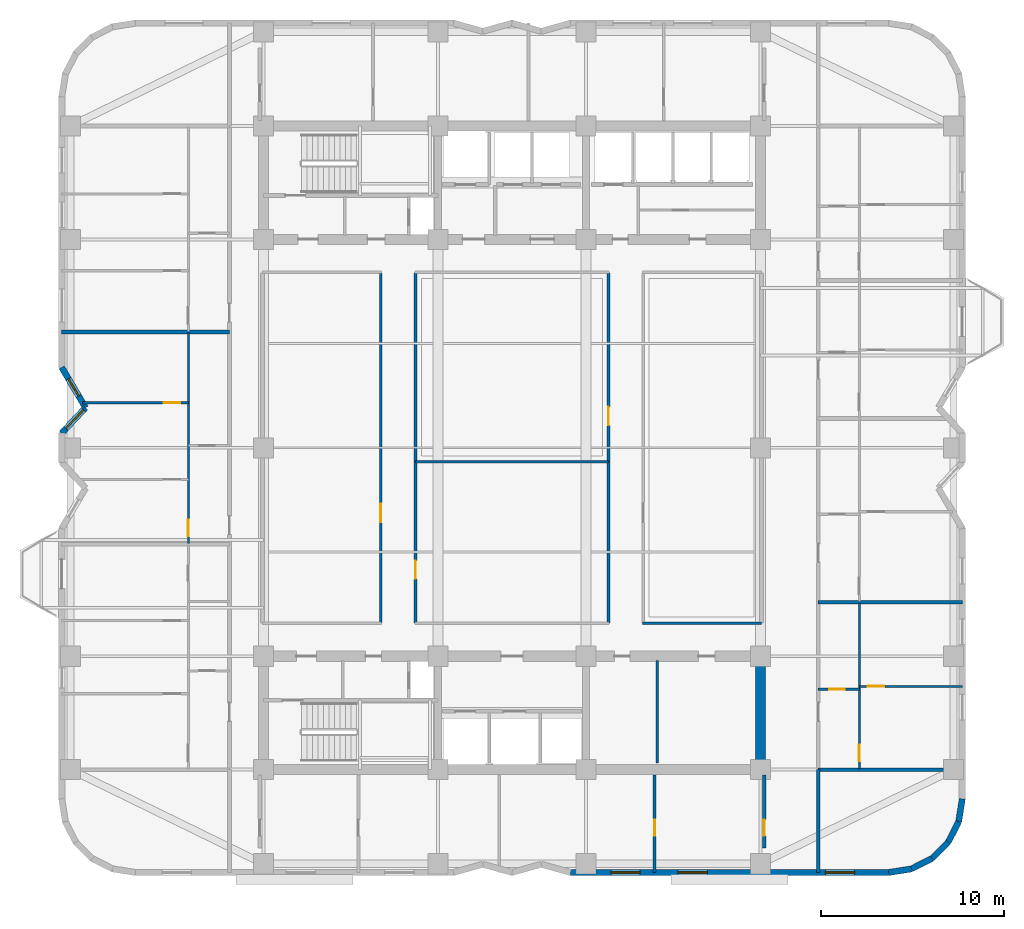
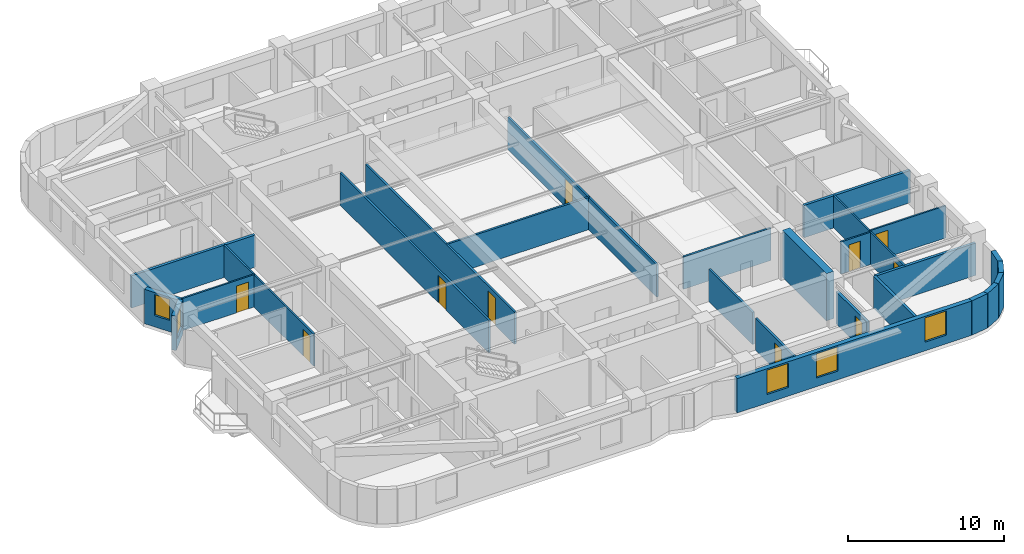
# One storey, part 4 of 11: 26 walls, 10 doors, 5 windows, 15 openings.
"""IFC4 building model written with IfcOpenShell, lengths in metres."""

from ifc_helpers import new_model, si_unit, direction, frame, frame_2d, origin, place, context, subcontext, project, spatial, rectangle, extrude, material, layer, layer_set, type_object, element, fill, save


model = new_model("IFC4")

# Units and contexts
model_context = context("Model", 3, precision=1e-05, world=origin(), true_north=direction((0.0, 1.0)))
body_context = subcontext(model_context, "Body", "Model", "MODEL_VIEW")
ifc_project = project(units=[si_unit("LENGTHUNIT", "METRE"), si_unit("AREAUNIT", "SQUARE_METRE"), si_unit("VOLUMEUNIT", "CUBIC_METRE"), si_unit("PLANEANGLEUNIT", "RADIAN"), si_unit("MASSUNIT", "GRAM", prefix="KILO")], contexts=[model_context])

# Site, building, storey
site_placement = place(None, origin())
site = spatial("IfcSite", under=ifc_project, at=site_placement, CompositionType="ELEMENT")
building_placement = place(site_placement, origin())
building = spatial("IfcBuilding", under=site, at=building_placement, Name="Svetorya Sky Lyceum", CompositionType="ELEMENT")
storey_placement = place(building_placement, frame((0.0, 0.0, 106.800048828125)))
storey = spatial("IfcBuildingStorey", under=building, at=storey_placement, Name="L26", CompositionType="ELEMENT", Elevation=106.800048828125)

# Wall
ifc_material_1 = material(Name="Concrete C60/75", Category="concrete")
ifc_layer_1 = layer(ifc_material_1, 0.550048828125)
ifc_layer_set_1 = layer_set([ifc_layer_1], Name="Concrete C60/75")
wall_type_1 = type_object("IfcWallType", Name="WL-CORE-550", PredefinedType="SHEAR", material=ifc_layer_set_1)
wall_1_placement = place(storey_placement, frame((52.800048828125, 10.875, 0.0), z_axis=(0.0, 0.0, 1.0), x_axis=(0.0, 1.0, 0.0)))
element("IfcWall", 1, at=wall_1_placement, inside=storey, type_object=wall_type_1, Name="L26 SC East Core Shear Wall", PredefinedType="SHEAR", context=body_context, shape_type="SweptSolid", body=[
    extrude(rectangle(XDim=5.64990234375, YDim=0.550048828125, at=frame_2d((2.824951171875, 0.0))), origin(), (0.0, 0.0, 1.0), 3.699951171875),
])

# Wall, openings, windows
ifc_material_2 = material(Name="Putilovo limestone rainscreen on autoclaved cellular masonry", Category="masonry")
ifc_layer_2 = layer(ifc_material_2, 0.340087890625)
ifc_layer_set_2 = layer_set([ifc_layer_2], Name="Putilovo limestone rainscreen on autoclaved cellular masonry")
wall_type_2 = type_object("IfcWallType", Name="WL-EXT-340", PredefinedType="SOLIDWALL", material=ifc_layer_set_2)
wall_2_placement = place(storey_placement, frame((42.39990234375, 4.969970703125, 0.0), z_axis=(0.0, 0.0, 1.0), x_axis=(1.0, 0.0, 0.0)))
wall_2 = element("IfcWall", 2, at=wall_2_placement, inside=storey, type_object=wall_type_2, Name="L26 Limestone Exterior Wall 11M", PredefinedType="SOLIDWALL", context=body_context, shape_type="SweptSolid", body=[
    extrude(rectangle(XDim=17.400146484375, YDim=0.340087890625, at=frame_2d((8.7001953125, 0.0))), origin(), (0.0, 0.0, 1.0), 2.699951171875),
])
opening_1_placement = place(wall_2_placement, frame((2.21240234375, 0.0, 0.679931640625)))
opening_1 = element("IfcOpeningElement", 3, at=opening_1_placement, cuts=wall_2, Name="Opening W-R4", PredefinedType="OPENING", context=body_context, shape_type="SweptSolid", body=[
    extrude(rectangle(XDim=1.60009765625, YDim=1.89990234375, at=frame_2d((0.800048828125, 0.949951171875))), frame((0.0, 0.179931640625, 0.0), z_axis=(0.0, -1.0, 0.0), x_axis=(1.0, 0.0, 0.0)), (0.0, 0.0, 1.0), 0.360107421875),
])
opening_2_placement = place(wall_2_placement, frame((5.887451171875, 0.0, 0.679931640625)))
opening_2 = element("IfcOpeningElement", 4, at=opening_2_placement, cuts=wall_2, Name="Opening W-R4", PredefinedType="OPENING", context=body_context, shape_type="SweptSolid", body=[
    extrude(rectangle(XDim=1.60009765625, YDim=1.89990234375, at=frame_2d((0.800048828125, 0.949951171875))), frame((0.0, 0.179931640625, 0.0), z_axis=(0.0, -1.0, 0.0), x_axis=(1.0, 0.0, 0.0)), (0.0, 0.0, 1.0), 0.360107421875),
])
opening_3_placement = place(wall_2_placement, frame((13.9375, 0.0, 0.679931640625)))
opening_3 = element("IfcOpeningElement", 5, at=opening_3_placement, cuts=wall_2, Name="Opening W-R4", PredefinedType="OPENING", context=body_context, shape_type="SweptSolid", body=[
    extrude(rectangle(XDim=1.60009765625, YDim=1.89990234375, at=frame_2d((0.800048828125, 0.949951171875))), frame((0.0, 0.179931640625, 0.0), z_axis=(0.0, -1.0, 0.0), x_axis=(1.0, 0.0, 0.0)), (0.0, 0.0, 1.0), 0.360107421875),
])
ifc_material_3 = material(Name="Thermally broken aluminium frame with triple low-E glazing", Category="aluminium")
window_type_1 = type_object("IfcWindowType", Name="WN-RES-160", PartitioningType="DOUBLE_PANEL_VERTICAL", PredefinedType="WINDOW", material=ifc_material_3)
window_1_placement = place(opening_1_placement, origin())
window_1 = element("IfcWindow", 6, at=window_1_placement, inside=storey, type_object=window_type_1, Name="L26 Facade Window W-R4.11M.1", OverallHeight=1.89990234375, OverallWidth=1.60009765625, PartitioningType="SINGLE_PANEL", PredefinedType="WINDOW", context=body_context, shape_type="SweptSolid", body=[
    extrude(rectangle(XDim=1.60009765625, YDim=1.89990234375, at=frame_2d((0.800048828125, 0.949951171875))), frame((0.0, 0.030029296875, 0.0), z_axis=(0.0, -1.0, 0.0), x_axis=(1.0, 0.0, 0.0)), (0.0, 0.0, 1.0), 0.06005859375),
])
fill(opening_1, window_1)
window_2_placement = place(opening_2_placement, origin())
window_2 = element("IfcWindow", 7, at=window_2_placement, inside=storey, type_object=window_type_1, Name="L26 Facade Window W-R4.11M.2", OverallHeight=1.89990234375, OverallWidth=1.60009765625, PartitioningType="SINGLE_PANEL", PredefinedType="WINDOW", context=body_context, shape_type="SweptSolid", body=[
    extrude(rectangle(XDim=1.60009765625, YDim=1.89990234375, at=frame_2d((0.800048828125, 0.949951171875))), frame((0.0, 0.030029296875, 0.0), z_axis=(0.0, -1.0, 0.0), x_axis=(1.0, 0.0, 0.0)), (0.0, 0.0, 1.0), 0.06005859375),
])
fill(opening_2, window_2)
window_3_placement = place(opening_3_placement, origin())
window_3 = element("IfcWindow", 8, at=window_3_placement, inside=storey, type_object=window_type_1, Name="L26 Facade Window W-R4.11M.3", OverallHeight=1.89990234375, OverallWidth=1.60009765625, PartitioningType="SINGLE_PANEL", PredefinedType="WINDOW", context=body_context, shape_type="SweptSolid", body=[
    extrude(rectangle(XDim=1.60009765625, YDim=1.89990234375, at=frame_2d((0.800048828125, 0.949951171875))), frame((0.0, 0.030029296875, 0.0), z_axis=(0.0, -1.0, 0.0), x_axis=(1.0, 0.0, 0.0)), (0.0, 0.0, 1.0), 0.06005859375),
])
fill(opening_3, window_3)

# Walls
wall_3_placement = place(storey_placement, frame((59.800048828125, 4.969970703125, 0.0), z_axis=(0.0, 0.0, 1.0), x_axis=(0.987685918112, 0.15644975923, 0.0)))
element("IfcWall", 9, at=wall_3_placement, inside=storey, type_object=wall_type_2, Name="L26 Limestone Exterior Wall 12M", PredefinedType="SOLIDWALL", context=body_context, shape_type="SweptSolid", body=[
    extrude(rectangle(XDim=1.260986328125, YDim=0.340087890625, at=frame_2d((0.63037109375, 0.0))), origin(), (0.0, 0.0, 1.0), 2.699951171875),
])
for number, where, z_axis, x_axis, name in (
    (10, (61.04541015625, 5.167236328125, 0.0), (0.0, 0.0, 1.0), (0.890953769915, 0.454094020963, 0.0), "L26 Limestone Exterior Wall 13M"),
    (11, (62.168701171875, 5.73974609375, 0.0), (0.0, 0.0, 1.0), (0.707203598708, 0.707009950407, 0.0), "L26 Limestone Exterior Wall 14M"),
):
    element("IfcWall", number, at=place(storey_placement, frame(where, z_axis=z_axis, x_axis=x_axis)), inside=storey, type_object=wall_type_2, Name=name, PredefinedType="SOLIDWALL", context=body_context, shape_type="SweptSolid", body=[
        extrude(rectangle(XDim=1.2607421875, YDim=0.340087890625, at=frame_2d((0.63037109375, 0.0))), origin(), (0.0, 0.0, 1.0), 2.699951171875),
    ])
for number, where, z_axis, x_axis, name in (
    (12, (63.060302734375, 6.631103515625, 0.0), (0.0, 0.0, 1.0), (0.454015689056, 0.890993689142, 0.0), "L26 Limestone Exterior Wall 15M"),
    (13, (63.6328125, 7.754638671875, 0.0), (0.0, 0.0, 1.0), (0.15644975923, 0.987685918112, 0.0), "L26 Limestone Exterior Wall 16M"),
):
    element("IfcWall", number, at=place(storey_placement, frame(where, z_axis=z_axis, x_axis=x_axis)), inside=storey, type_object=wall_type_2, Name=name, PredefinedType="SOLIDWALL", context=body_context, shape_type="SweptSolid", body=[
        extrude(rectangle(XDim=1.260986328125, YDim=0.340087890625, at=frame_2d((0.63037109375, 0.0))), origin(), (0.0, 0.0, 1.0), 2.699951171875),
    ])

# Wall, opening, window
wall_4_placement = place(storey_placement, frame((14.570068359375, 32.60009765625, 0.0), z_axis=(0.0, 0.0, 1.0), x_axis=(0.508710000703, -0.860937939218, 0.0)))
wall_4 = element("IfcWall", 14, at=wall_4_placement, inside=storey, type_object=wall_type_2, Name="L26 Limestone Exterior Wall 41M", PredefinedType="SOLIDWALL", context=body_context, shape_type="SweptSolid", body=[
    extrude(rectangle(XDim=2.5556640625, YDim=0.340087890625, at=frame_2d((1.27783203125, 0.0))), origin(), (0.0, 0.0, 1.0), 2.699951171875),
])
opening_4_placement = place(wall_4_placement, frame((0.727783203125, 0.0, 0.889892578125)))
opening_4 = element("IfcOpeningElement", 15, at=opening_4_placement, cuts=wall_4, Name="Opening W-R3", PredefinedType="OPENING", context=body_context, shape_type="SweptSolid", body=[
    extrude(rectangle(XDim=1.10009765625, YDim=1.64990234375, at=frame_2d((0.550048828125, 0.824951171875))), frame((0.0, 0.179931640625, 0.0), z_axis=(0.0, -1.0, 0.0), x_axis=(1.0, 0.0, 0.0)), (0.0, 0.0, 1.0), 0.360107421875),
])
window_type_2 = type_object("IfcWindowType", Name="WN-RES-110", PartitioningType="SINGLE_PANEL", PredefinedType="WINDOW", material=ifc_material_3)
window_4_placement = place(opening_4_placement, origin())
window_4 = element("IfcWindow", 16, at=window_4_placement, inside=storey, type_object=window_type_2, Name="L26 Facade Window W-R3.41M.1", OverallHeight=1.64990234375, OverallWidth=1.10009765625, PartitioningType="SINGLE_PANEL", PredefinedType="WINDOW", context=body_context, shape_type="SweptSolid", body=[
    extrude(rectangle(XDim=1.10009765625, YDim=1.64990234375, at=frame_2d((0.550048828125, 0.824951171875))), frame((0.0, 0.030029296875, 0.0), z_axis=(0.0, -1.0, 0.0), x_axis=(1.0, 0.0, 0.0)), (0.0, 0.0, 1.0), 0.06005859375),
])
fill(opening_4, window_4)

wall_5_placement = place(storey_placement, frame((15.8701171875, 30.39990234375, 0.0), z_axis=(0.0, 0.0, 1.0), x_axis=(-0.68049031116, -0.732757078722, 0.0)))
wall_5 = element("IfcWall", 17, at=wall_5_placement, inside=storey, type_object=wall_type_2, Name="L26 Limestone Exterior Wall 42M", PredefinedType="SOLIDWALL", context=body_context, shape_type="SweptSolid", body=[
    extrude(rectangle(XDim=1.910400390625, YDim=0.340087890625, at=frame_2d((0.955078125, 0.0))), origin(), (0.0, 0.0, 1.0), 2.699951171875),
])
opening_5_placement = place(wall_5_placement, frame((0.159912109375, 0.0, 0.68994140625)))
opening_5 = element("IfcOpeningElement", 18, at=opening_5_placement, cuts=wall_5, Name="Opening W-R2", PredefinedType="OPENING", context=body_context, shape_type="SweptSolid", body=[
    extrude(rectangle(XDim=1.39990234375, YDim=1.85009765625, at=frame_2d((0.699951171875, 0.925048828125))), frame((0.0, 0.179931640625, 0.0), z_axis=(0.0, -1.0, 0.0), x_axis=(1.0, 0.0, 0.0)), (0.0, 0.0, 1.0), 0.360107421875),
])
window_type_3 = type_object("IfcWindowType", Name="WN-RES-140", PartitioningType="SINGLE_PANEL", PredefinedType="WINDOW", material=ifc_material_3)
window_5_placement = place(opening_5_placement, origin())
window_5 = element("IfcWindow", 19, at=window_5_placement, inside=storey, type_object=window_type_3, Name="L26 Facade Window W-R2.42M.1", OverallHeight=1.85009765625, OverallWidth=1.39990234375, PartitioningType="SINGLE_PANEL", PredefinedType="WINDOW", context=body_context, shape_type="SweptSolid", body=[
    extrude(rectangle(XDim=1.39990234375, YDim=1.85009765625, at=frame_2d((0.699951171875, 0.925048828125))), frame((0.0, 0.030029296875, 0.0), z_axis=(0.0, -1.0, 0.0), x_axis=(1.0, 0.0, 0.0)), (0.0, 0.0, 1.0), 0.06005859375),
])
fill(opening_5, window_5)

# Wall, opening, door
ifc_material_4 = material(Name="Twin-stud galvanized framing with double fireboard", Category="gypsum")
ifc_layer_3 = layer(ifc_material_4, 0.1201171875)
ifc_layer_set_3 = layer_set([ifc_layer_3], Name="Twin-stud galvanized framing with double fireboard")
wall_type_3 = type_object("IfcWallType", Name="WL-PART-120", PredefinedType="PARTITIONING", material=ifc_layer_set_3)
wall_6_placement = place(storey_placement, frame((15.71044921875, 30.669921875, 0.0), z_axis=(0.0, 0.0, 1.0), x_axis=(1.0, 0.0, 0.0)))
wall_6 = element("IfcWall", 20, at=wall_6_placement, inside=storey, type_object=wall_type_3, Name="L26 Interior Partition W2-WL2", PredefinedType="PARTITIONING", context=body_context, shape_type="SweptSolid", body=[
    extrude(rectangle(XDim=5.78955078125, YDim=0.1201171875, at=frame_2d((2.894775390625, 0.0))), origin(), (0.0, 0.0, 1.0), 2.530029296875),
])
opening_6_placement = place(wall_6_placement, frame((4.439453125, 0.0, 0.0)))
opening_6 = element("IfcOpeningElement", 21, at=opening_6_placement, cuts=wall_6, Name="Opening D-RM1", PredefinedType="OPENING", context=body_context, shape_type="SweptSolid", body=[
    extrude(rectangle(XDim=0.89990234375, YDim=2.10009765625, at=frame_2d((0.449951171875, 1.050048828125))), frame((0.0, 0.070068359375, 0.0), z_axis=(0.0, -1.0, 0.0), x_axis=(1.0, 0.0, 0.0)), (0.0, 0.0, 1.0), 0.14013671875),
])
ifc_material_5 = material(Name="Lacquered birch veneer internal door")
door_type_1 = type_object("IfcDoorType", Name="DR-INT-900", OperationType="SINGLE_SWING_LEFT", PredefinedType="DOOR", material=ifc_material_5)
door_1_placement = place(opening_6_placement, origin())
door_1 = element("IfcDoor", 22, at=door_1_placement, inside=storey, type_object=door_type_1, Name="Apartment W2 Bedroom 2 Door", OperationType="SINGLE_SWING_LEFT", OverallHeight=2.10009765625, OverallWidth=0.89990234375, PredefinedType="DOOR", context=body_context, shape_type="SweptSolid", body=[
    extrude(rectangle(XDim=0.89990234375, YDim=2.10009765625, at=frame_2d((0.449951171875, 1.050048828125))), frame((0.0, 0.02490234375, 0.0), z_axis=(0.0, -1.0, 0.0), x_axis=(1.0, 0.0, 0.0)), (0.0, 0.0, 1.0), 0.050048828125),
])
fill(opening_6, door_1)

wall_7_placement = place(storey_placement, frame((21.5, 22.9599609375, 0.0), z_axis=(0.0, 0.0, 1.0), x_axis=(0.0, 1.0, 0.0)))
wall_7 = element("IfcWall", 23, at=wall_7_placement, inside=storey, type_object=wall_type_3, Name="L26 Interior Partition W2-WV", PredefinedType="PARTITIONING", context=body_context, shape_type="SweptSolid", body=[
    extrude(rectangle(XDim=11.5361328125, YDim=0.1201171875, at=frame_2d((5.76806640625, 0.0))), origin(), (0.0, 0.0, 1.0), 2.530029296875),
])
opening_7_placement = place(wall_7_placement, frame((0.409912109375, 0.0, 0.0)))
opening_7 = element("IfcOpeningElement", 24, at=opening_7_placement, cuts=wall_7, Name="Opening D-RM1", PredefinedType="OPENING", context=body_context, shape_type="SweptSolid", body=[
    extrude(rectangle(XDim=0.89990234375, YDim=2.10009765625, at=frame_2d((0.449951171875, 1.050048828125))), frame((0.0, 0.070068359375, 0.0), z_axis=(0.0, -1.0, 0.0), x_axis=(1.0, 0.0, 0.0)), (0.0, 0.0, 1.0), 0.14013671875),
])
door_2_placement = place(opening_7_placement, origin())
door_2 = element("IfcDoor", 25, at=door_2_placement, inside=storey, type_object=door_type_1, Name="Apartment W2 Living Door", OperationType="SINGLE_SWING_LEFT", OverallHeight=2.10009765625, OverallWidth=0.89990234375, PredefinedType="DOOR", context=body_context, shape_type="SweptSolid", body=[
    extrude(rectangle(XDim=0.89990234375, YDim=2.10009765625, at=frame_2d((0.449951171875, 1.050048828125))), frame((0.0, 0.02490234375, 0.0), z_axis=(0.0, -1.0, 0.0), x_axis=(1.0, 0.0, 0.0)), (0.0, 0.0, 1.0), 0.050048828125),
])
fill(opening_7, door_2)

wall_8_placement = place(storey_placement, frame((55.949951171875, 14.989990234375, 0.0), z_axis=(0.0, 0.0, 1.0), x_axis=(1.0, 0.0, 0.0)))
wall_8 = element("IfcWall", 26, at=wall_8_placement, inside=storey, type_object=wall_type_3, Name="L26 Interior Partition E1-WH1", PredefinedType="PARTITIONING", context=body_context, shape_type="SweptSolid", body=[
    extrude(rectangle(XDim=2.25, YDim=0.1201171875, at=frame_2d((1.125, 0.0))), origin(), (0.0, 0.0, 1.0), 2.530029296875),
])
opening_8_placement = place(wall_8_placement, frame((0.60009765625, 0.0, 0.0)))
opening_8 = element("IfcOpeningElement", 27, at=opening_8_placement, cuts=wall_8, Name="Opening D-BT1", PredefinedType="OPENING", context=body_context, shape_type="SweptSolid", body=[
    extrude(rectangle(XDim=0.85009765625, YDim=2.10009765625, at=frame_2d((0.425048828125, 1.050048828125))), frame((0.0, 0.070068359375, 0.0), z_axis=(0.0, -1.0, 0.0), x_axis=(1.0, 0.0, 0.0)), (0.0, 0.0, 1.0), 0.14013671875),
])
ifc_material_6 = material(Name="Moisture-resistant laminate bathroom door")
door_type_2 = type_object("IfcDoorType", Name="DR-WET-850", OperationType="SINGLE_SWING_LEFT", PredefinedType="DOOR", material=ifc_material_6)
door_3_placement = place(opening_8_placement, origin())
door_3 = element("IfcDoor", 28, at=door_3_placement, inside=storey, type_object=door_type_2, Name="Apartment E1 Bathroom Door", OperationType="SINGLE_SWING_RIGHT", OverallHeight=2.10009765625, OverallWidth=0.85009765625, PredefinedType="DOOR", context=body_context, shape_type="SweptSolid", body=[
    extrude(rectangle(XDim=0.85009765625, YDim=2.10009765625, at=frame_2d((0.425048828125, 1.050048828125))), frame((0.0, 0.02490234375, 0.0), z_axis=(0.0, -1.0, 0.0), x_axis=(1.0, 0.0, 0.0)), (0.0, 0.0, 1.0), 0.050048828125),
])
fill(opening_8, door_3)

wall_9_placement = place(storey_placement, frame((58.199951171875, 15.14990234375, 0.0), z_axis=(0.0, 0.0, 1.0), x_axis=(1.0, 0.0, 0.0)))
wall_9 = element("IfcWall", 29, at=wall_9_placement, inside=storey, type_object=wall_type_3, Name="L26 Interior Partition E1-WL1", PredefinedType="PARTITIONING", context=body_context, shape_type="SweptSolid", body=[
    extrude(rectangle(XDim=5.630126953125, YDim=0.1201171875, at=frame_2d((2.81494140625, 0.0))), origin(), (0.0, 0.0, 1.0), 2.530029296875),
])
opening_9_placement = place(wall_9_placement, frame((0.449951171875, 0.0, 0.0)))
opening_9 = element("IfcOpeningElement", 30, at=opening_9_placement, cuts=wall_9, Name="Opening D-RM1", PredefinedType="OPENING", context=body_context, shape_type="SweptSolid", body=[
    extrude(rectangle(XDim=0.89990234375, YDim=2.10009765625, at=frame_2d((0.449951171875, 1.050048828125))), frame((0.0, 0.070068359375, 0.0), z_axis=(0.0, -1.0, 0.0), x_axis=(1.0, 0.0, 0.0)), (0.0, 0.0, 1.0), 0.14013671875),
])
door_4_placement = place(opening_9_placement, origin())
door_4 = element("IfcDoor", 31, at=door_4_placement, inside=storey, type_object=door_type_1, Name="Apartment E1 Bedroom 1 Door", OperationType="SINGLE_SWING_RIGHT", OverallHeight=2.10009765625, OverallWidth=0.89990234375, PredefinedType="DOOR", context=body_context, shape_type="SweptSolid", body=[
    extrude(rectangle(XDim=0.89990234375, YDim=2.10009765625, at=frame_2d((0.449951171875, 1.050048828125))), frame((0.0, 0.02490234375, 0.0), z_axis=(0.0, -1.0, 0.0), x_axis=(1.0, 0.0, 0.0)), (0.0, 0.0, 1.0), 0.050048828125),
])
fill(opening_9, door_4)

wall_10_placement = place(storey_placement, frame((58.199951171875, 10.639892578125, 0.0), z_axis=(0.0, 0.0, 1.0), x_axis=(0.0, 1.0, 0.0)))
wall_10 = element("IfcWall", 32, at=wall_10_placement, inside=storey, type_object=wall_type_3, Name="L26 Interior Partition E1-WV", PredefinedType="PARTITIONING", context=body_context, shape_type="SweptSolid", body=[
    extrude(rectangle(XDim=9.072021484375, YDim=0.1201171875, at=frame_2d((4.5361328125, 0.0))), origin(), (0.0, 0.0, 1.0), 2.530029296875),
])
opening_10_placement = place(wall_10_placement, frame((0.409912109375, 0.0, 0.0)))
opening_10 = element("IfcOpeningElement", 33, at=opening_10_placement, cuts=wall_10, Name="Opening D-RM1", PredefinedType="OPENING", context=body_context, shape_type="SweptSolid", body=[
    extrude(rectangle(XDim=0.89990234375, YDim=2.10009765625, at=frame_2d((0.449951171875, 1.050048828125))), frame((0.0, 0.070068359375, 0.0), z_axis=(0.0, -1.0, 0.0), x_axis=(1.0, 0.0, 0.0)), (0.0, 0.0, 1.0), 0.14013671875),
])
door_5_placement = place(opening_10_placement, origin())
door_5 = element("IfcDoor", 34, at=door_5_placement, inside=storey, type_object=door_type_1, Name="Apartment E1 Living Door", OperationType="SINGLE_SWING_LEFT", OverallHeight=2.10009765625, OverallWidth=0.89990234375, PredefinedType="DOOR", context=body_context, shape_type="SweptSolid", body=[
    extrude(rectangle(XDim=0.89990234375, YDim=2.10009765625, at=frame_2d((0.449951171875, 1.050048828125))), frame((0.0, 0.02490234375, 0.0), z_axis=(0.0, -1.0, 0.0), x_axis=(1.0, 0.0, 0.0)), (0.0, 0.0, 1.0), 0.050048828125),
])
fill(opening_10, door_5)

# Walls
ifc_material_7 = material(Name="Autoclaved cellular masonry blockwork with acoustic render", Category="masonry")
ifc_layer_4 = layer(ifc_material_7, 0.14990234375)
ifc_layer_set_4 = layer_set([ifc_layer_4], Name="Autoclaved cellular masonry blockwork with acoustic render")
wall_type_4 = type_object("IfcWallType", Name="WL-PART-150", PredefinedType="PARTITIONING", material=ifc_layer_set_4)
wall_11_placement = place(storey_placement, frame((47.14990234375, 10.949951171875, 0.0), z_axis=(0.0, 0.0, 1.0), x_axis=(0.0, 1.0, 0.0)))
element("IfcWall", 35, at=wall_11_placement, inside=storey, type_object=wall_type_4, Name="L26 Interior Partition SC-LV7-VA", PredefinedType="PARTITIONING", context=body_context, shape_type="SweptSolid", body=[
    extrude(rectangle(XDim=5.630126953125, YDim=0.14990234375, at=frame_2d((2.81494140625, 0.0))), origin(), (0.0, 0.0, 1.0), 2.530029296875),
])
wall_12_placement = place(storey_placement, frame((46.35009765625, 18.60009765625, 0.0), z_axis=(0.0, 0.0, 1.0), x_axis=(1.0, 0.0, 0.0)))
element("IfcWall", 36, at=wall_12_placement, inside=storey, type_object=wall_type_4, Name="L26 Interior Partition RL-CS-E", PredefinedType="PARTITIONING", context=body_context, shape_type="SweptSolid", body=[
    extrude(rectangle(XDim=6.5, YDim=0.14990234375, at=frame_2d((3.25, 0.0))), origin(), (0.0, 0.0, 1.0), 2.530029296875),
])
wall_13_placement = place(storey_placement, frame((33.919921875, 27.434326171875, 0.0), z_axis=(0.0, 0.0, 1.0), x_axis=(1.0, 0.0, 0.0)))
element("IfcWall", 37, at=wall_13_placement, inside=storey, type_object=wall_type_4, Name="L26 Interior Partition ISL-HM0", PredefinedType="PARTITIONING", context=body_context, shape_type="SweptSolid", body=[
    extrude(rectangle(XDim=10.56005859375, YDim=0.14990234375, at=frame_2d((5.280029296875, 0.0))), origin(), (0.0, 0.0, 1.0), 2.530029296875),
])

# Wall, opening, door
wall_14_placement = place(storey_placement, frame((32.02001953125, 18.6298828125, 0.0), z_axis=(0.0, 0.0, 1.0), x_axis=(0.0, 1.0, 0.0)))
wall_14 = element("IfcWall", 38, at=wall_14_placement, inside=storey, type_object=wall_type_4, Name="L26 Interior Partition ISL-WW", PredefinedType="PARTITIONING", context=body_context, shape_type="SweptSolid", body=[
    extrude(rectangle(XDim=19.14013671875, YDim=0.14990234375, at=frame_2d((9.570068359375, 0.0))), origin(), (0.0, 0.0, 1.0), 2.530029296875),
])
opening_11_placement = place(wall_14_placement, frame((5.5, 0.0, 0.0)))
opening_11 = element("IfcOpeningElement", 39, at=opening_11_placement, cuts=wall_14, Name="Opening D-RM2", PredefinedType="OPENING", context=body_context, shape_type="SweptSolid", body=[
    extrude(rectangle(XDim=1.0, YDim=2.14990234375, at=frame_2d((0.5, 1.074951171875))), frame((0.0, 0.0849609375, 0.0), z_axis=(0.0, -1.0, 0.0), x_axis=(1.0, 0.0, 0.0)), (0.0, 0.0, 1.0), 0.169921875),
])
ifc_material_8 = material(Name="Solid-core oak acoustic room door")
door_type_3 = type_object("IfcDoorType", Name="DR-INT-1000", OperationType="SINGLE_SWING_LEFT", PredefinedType="DOOR", material=ifc_material_8)
door_6_placement = place(opening_11_placement, origin())
door_6 = element("IfcDoor", 40, at=door_6_placement, inside=storey, type_object=door_type_3, Name="L26 West Office Door", OperationType="SINGLE_SWING_LEFT", OverallHeight=2.14990234375, OverallWidth=1.0, PredefinedType="DOOR", context=body_context, shape_type="SweptSolid", body=[
    extrude(rectangle(XDim=1.0, YDim=2.14990234375, at=frame_2d((0.5, 1.074951171875))), frame((0.0, 0.02490234375, 0.0), z_axis=(0.0, -1.0, 0.0), x_axis=(1.0, 0.0, 0.0)), (0.0, 0.0, 1.0), 0.050048828125),
])
fill(opening_11, door_6)

wall_15_placement = place(storey_placement, frame((33.919921875, 18.6298828125, 0.0), z_axis=(0.0, 0.0, 1.0), x_axis=(0.0, 1.0, 0.0)))
wall_15 = element("IfcWall", 41, at=wall_15_placement, inside=storey, type_object=wall_type_4, Name="L26 Interior Partition ISL-WE", PredefinedType="PARTITIONING", context=body_context, shape_type="SweptSolid", body=[
    extrude(rectangle(XDim=19.14013671875, YDim=0.14990234375, at=frame_2d((9.570068359375, 0.0))), origin(), (0.0, 0.0, 1.0), 2.530029296875),
])
opening_12_placement = place(wall_15_placement, frame((2.39990234375, 0.0, 0.0)))
opening_12 = element("IfcOpeningElement", 42, at=opening_12_placement, cuts=wall_15, Name="Opening D-RM2", PredefinedType="OPENING", context=body_context, shape_type="SweptSolid", body=[
    extrude(rectangle(XDim=1.0, YDim=2.14990234375, at=frame_2d((0.5, 1.074951171875))), frame((0.0, 0.0849609375, 0.0), z_axis=(0.0, -1.0, 0.0), x_axis=(1.0, 0.0, 0.0)), (0.0, 0.0, 1.0), 0.169921875),
])
door_7_placement = place(opening_12_placement, origin())
door_7 = element("IfcDoor", 43, at=door_7_placement, inside=storey, type_object=door_type_3, Name="L26 Seminar Door", OperationType="SINGLE_SWING_RIGHT", OverallHeight=2.14990234375, OverallWidth=1.0, PredefinedType="DOOR", context=body_context, shape_type="SweptSolid", body=[
    extrude(rectangle(XDim=1.0, YDim=2.14990234375, at=frame_2d((0.5, 1.074951171875))), frame((0.0, 0.02490234375, 0.0), z_axis=(0.0, -1.0, 0.0), x_axis=(1.0, 0.0, 0.0)), (0.0, 0.0, 1.0), 0.050048828125),
])
fill(opening_12, door_7)

wall_16_placement = place(storey_placement, frame((44.47998046875, 18.6298828125, 0.0), z_axis=(0.0, 0.0, 1.0), x_axis=(0.0, 1.0, 0.0)))
wall_16 = element("IfcWall", 44, at=wall_16_placement, inside=storey, type_object=wall_type_4, Name="L26 Interior Partition ISL-EW", PredefinedType="PARTITIONING", context=body_context, shape_type="SweptSolid", body=[
    extrude(rectangle(XDim=19.14013671875, YDim=0.14990234375, at=frame_2d((9.570068359375, 0.0))), origin(), (0.0, 0.0, 1.0), 2.530029296875),
])
opening_13_placement = place(wall_16_placement, frame((10.804443359375, 0.0, 0.0)))
opening_13 = element("IfcOpeningElement", 45, at=opening_13_placement, cuts=wall_16, Name="Opening D-RM2", PredefinedType="OPENING", context=body_context, shape_type="SweptSolid", body=[
    extrude(rectangle(XDim=1.0, YDim=2.14990234375, at=frame_2d((0.5, 1.074951171875))), frame((0.0, 0.0849609375, 0.0), z_axis=(0.0, -1.0, 0.0), x_axis=(1.0, 0.0, 0.0)), (0.0, 0.0, 1.0), 0.169921875),
])
door_8_placement = place(opening_13_placement, origin())
door_8 = element("IfcDoor", 46, at=door_8_placement, inside=storey, type_object=door_type_3, Name="L26 Recreation Door", OperationType="SINGLE_SWING_LEFT", OverallHeight=2.14990234375, OverallWidth=1.0, PredefinedType="DOOR", context=body_context, shape_type="SweptSolid", body=[
    extrude(rectangle(XDim=1.0, YDim=2.14990234375, at=frame_2d((0.5, 1.074951171875))), frame((0.0, 0.02490234375, 0.0), z_axis=(0.0, -1.0, 0.0), x_axis=(1.0, 0.0, 0.0)), (0.0, 0.0, 1.0), 0.050048828125),
])
fill(opening_13, door_8)

wall_17_placement = place(storey_placement, frame((47.0, 4.969970703125, 0.0), z_axis=(0.0, 0.0, 1.0), x_axis=(0.0, 1.0, 0.0)))
wall_17 = element("IfcWall", 47, at=wall_17_placement, inside=storey, type_object=wall_type_4, Name="L26 Interior Partition S4-D3", PredefinedType="PARTITIONING", context=body_context, shape_type="SweptSolid", body=[
    extrude(rectangle(XDim=5.330078125, YDim=0.14990234375, at=frame_2d((2.6650390625, 0.0))), origin(), (0.0, 0.0, 1.0), 2.530029296875),
])
opening_14_placement = place(wall_17_placement, frame((2.0, 0.0, 0.0)))
opening_14 = element("IfcOpeningElement", 48, at=opening_14_placement, cuts=wall_17, Name="Opening D-RM1", PredefinedType="OPENING", context=body_context, shape_type="SweptSolid", body=[
    extrude(rectangle(XDim=0.89990234375, YDim=2.10009765625, at=frame_2d((0.449951171875, 1.050048828125))), frame((0.0, 0.0849609375, 0.0), z_axis=(0.0, -1.0, 0.0), x_axis=(1.0, 0.0, 0.0)), (0.0, 0.0, 1.0), 0.169921875),
])
door_9_placement = place(opening_14_placement, origin())
door_9 = element("IfcDoor", 49, at=door_9_placement, inside=storey, type_object=door_type_1, Name="L26 South Suite Door 3", OperationType="SINGLE_SWING_LEFT", OverallHeight=2.10009765625, OverallWidth=0.89990234375, PredefinedType="DOOR", context=body_context, shape_type="SweptSolid", body=[
    extrude(rectangle(XDim=0.89990234375, YDim=2.10009765625, at=frame_2d((0.449951171875, 1.050048828125))), frame((0.0, 0.02490234375, 0.0), z_axis=(0.0, -1.0, 0.0), x_axis=(1.0, 0.0, 0.0)), (0.0, 0.0, 1.0), 0.050048828125),
])
fill(opening_14, door_9)

# Walls
ifc_material_9 = material(Name="Autoclaved cellular masonry blockwork with gypsum plaster", Category="masonry")
ifc_layer_5 = layer(ifc_material_9, 0.199951171875)
ifc_layer_set_5 = layer_set([ifc_layer_5], Name="Autoclaved cellular masonry blockwork with gypsum plaster")
wall_type_5 = type_object("IfcWallType", Name="WL-PART-200", PredefinedType="PARTITIONING", material=ifc_layer_set_5)
wall_18_placement = place(storey_placement, frame((14.570068359375, 34.535888671875, 0.0), z_axis=(0.0, 0.0, 1.0), x_axis=(1.0, 0.0, 0.0)))
element("IfcWall", 50, at=wall_18_placement, inside=storey, type_object=wall_type_5, Name="L26 Interior Partition W-PARTY-2", PredefinedType="PARTITIONING", context=body_context, shape_type="SweptSolid", body=[
    extrude(rectangle(XDim=9.179931640625, YDim=0.199951171875, at=frame_2d((4.58984375, 0.0))), origin(), (0.0, 0.0, 1.0), 2.530029296875),
])
wall_19_placement = place(storey_placement, frame((55.949951171875, 19.751953125, 0.0), z_axis=(0.0, 0.0, 1.0), x_axis=(1.0, 0.0, 0.0)))
element("IfcWall", 51, at=wall_19_placement, inside=storey, type_object=wall_type_5, Name="L26 Interior Partition E-PARTY-1", PredefinedType="PARTITIONING", context=body_context, shape_type="SweptSolid", body=[
    extrude(rectangle(XDim=7.880126953125, YDim=0.199951171875, at=frame_2d((3.93994140625, 0.0))), origin(), (0.0, 0.0, 1.0), 2.530029296875),
])
wall_20_placement = place(storey_placement, frame((55.949951171875, 10.60009765625, 0.0), z_axis=(0.0, 0.0, 1.0), x_axis=(1.0, 0.0, 0.0)))
element("IfcWall", 52, at=wall_20_placement, inside=storey, type_object=wall_type_5, Name="L26 Interior Partition E-CAP-S", PredefinedType="PARTITIONING", context=body_context, shape_type="SweptSolid", body=[
    extrude(rectangle(XDim=7.4599609375, YDim=0.199951171875, at=frame_2d((3.72998046875, 0.0))), origin(), (0.0, 0.0, 1.0), 2.530029296875),
])
wall_21_placement = place(storey_placement, frame((55.949951171875, 4.969970703125, 0.0), z_axis=(0.0, 0.0, 1.0), x_axis=(0.0, 1.0, 0.0)))
element("IfcWall", 53, at=wall_21_placement, inside=storey, type_object=wall_type_5, Name="L26 Interior Partition EC-SE-END", PredefinedType="PARTITIONING", context=body_context, shape_type="SweptSolid", body=[
    extrude(rectangle(XDim=5.630126953125, YDim=0.199951171875, at=frame_2d((2.81494140625, 0.0))), origin(), (0.0, 0.0, 1.0), 2.530029296875),
])

# Wall, opening, door
wall_22_placement = place(storey_placement, frame((53.0, 6.320068359375, 0.0), z_axis=(0.0, 0.0, 1.0), x_axis=(0.0, 1.0, 0.0)))
wall_22 = element("IfcWall", 54, at=wall_22_placement, inside=storey, type_object=wall_type_5, Name="L26 Interior Partition S4-EE", PredefinedType="PARTITIONING", context=body_context, shape_type="SweptSolid", body=[
    extrude(rectangle(XDim=3.97998046875, YDim=0.199951171875, at=frame_2d((1.989990234375, 0.0))), origin(), (0.0, 0.0, 1.0), 2.530029296875),
])
opening_15_placement = place(wall_22_placement, frame((0.64990234375, 0.0, 0.0)))
opening_15 = element("IfcOpeningElement", 55, at=opening_15_placement, cuts=wall_22, Name="Opening D-RM1", PredefinedType="OPENING", context=body_context, shape_type="SweptSolid", body=[
    extrude(rectangle(XDim=0.89990234375, YDim=2.10009765625, at=frame_2d((0.449951171875, 1.050048828125))), frame((0.0, 0.10986328125, 0.0), z_axis=(0.0, -1.0, 0.0), x_axis=(1.0, 0.0, 0.0)), (0.0, 0.0, 1.0), 0.219970703125),
])
door_10_placement = place(opening_15_placement, origin())
door_10 = element("IfcDoor", 56, at=door_10_placement, inside=storey, type_object=door_type_1, Name="L26 SE Meeting Door", OperationType="SINGLE_SWING_RIGHT", OverallHeight=2.10009765625, OverallWidth=0.89990234375, PredefinedType="DOOR", context=body_context, shape_type="SweptSolid", body=[
    extrude(rectangle(XDim=0.89990234375, YDim=2.10009765625, at=frame_2d((0.449951171875, 1.050048828125))), frame((0.0, 0.02490234375, 0.0), z_axis=(0.0, -1.0, 0.0), x_axis=(1.0, 0.0, 0.0)), (0.0, 0.0, 1.0), 0.050048828125),
])
fill(opening_15, door_10)

save(model, "model.ifc")
